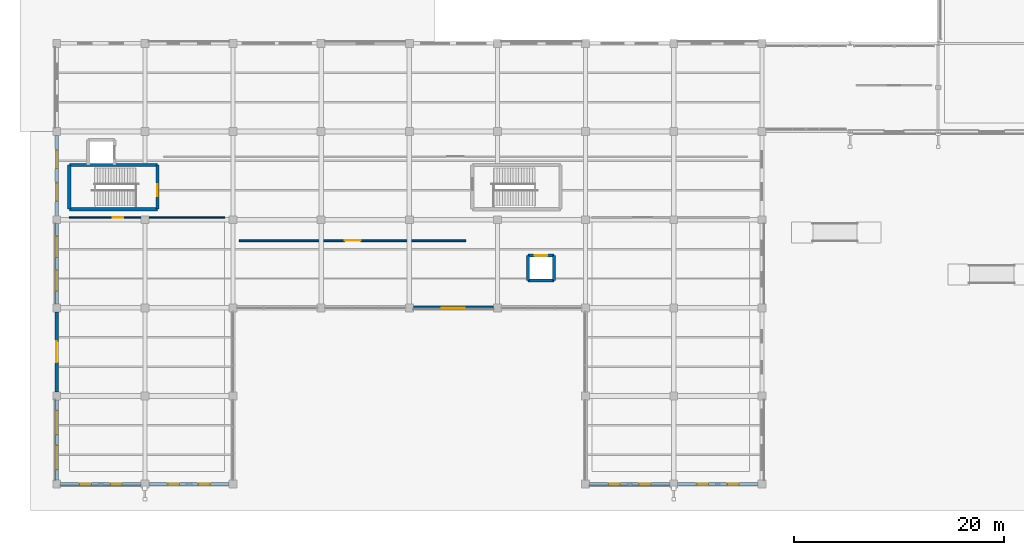
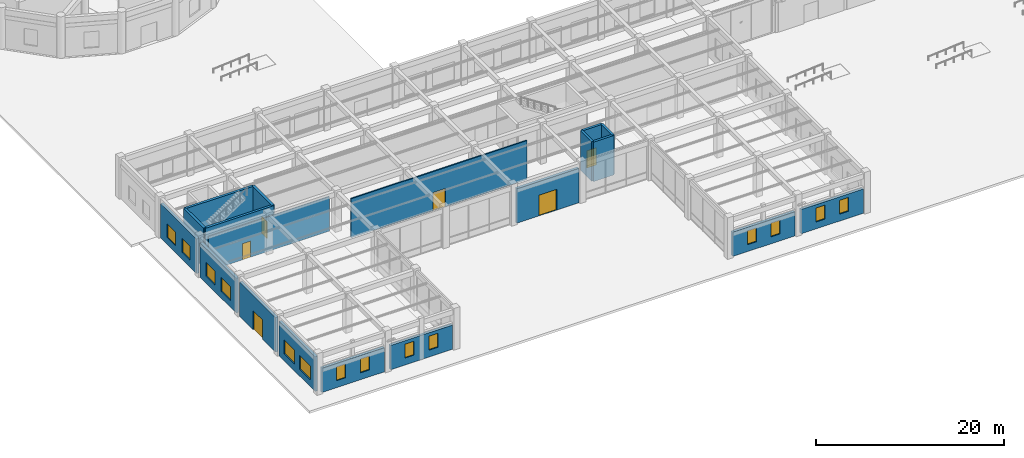
# One storey, part 124 of 157: 19 walls, 14 windows, 6 doors, 20 openings.
"""IFC4 building model written with IfcOpenShell, lengths in metres."""

from ifc_helpers import new_model, si_unit, direction, frame, frame_2d, origin, place, context, subcontext, project, spatial, rectangle, extrude, material, layer, layer_set, type_object, element, fill, save


model = new_model("IFC4")

# Units and contexts
model_context = context("Model", 3, precision=1e-05, world=origin(), true_north=direction((0.0, 1.0)))
body_context = subcontext(model_context, "Body", "Model", "MODEL_VIEW")
ifc_project = project(units=[si_unit("LENGTHUNIT", "METRE"), si_unit("AREAUNIT", "SQUARE_METRE"), si_unit("VOLUMEUNIT", "CUBIC_METRE"), si_unit("PLANEANGLEUNIT", "RADIAN"), si_unit("MASSUNIT", "GRAM", prefix="KILO"), si_unit("THERMODYNAMICTEMPERATUREUNIT", "KELVIN"), si_unit("POWERUNIT", "WATT")], contexts=[model_context])

# Site, building, storey
site_placement = place(None, origin())
site = spatial("IfcSite", under=ifc_project, at=site_placement, CompositionType="ELEMENT")
building_placement = place(site_placement, origin())
building = spatial("IfcBuilding", under=site, at=building_placement, Name="Darbajah Civic Hall", CompositionType="ELEMENT")
storey_placement = place(building_placement, origin())
storey = spatial("IfcBuildingStorey", under=building, at=storey_placement, Name="L00", CompositionType="ELEMENT", Elevation=0.0)

# Wall
ifc_material_1 = material(Name="Concrete C45/55", Category="concrete")
ifc_layer_1 = layer(ifc_material_1, 0.300048828125, Name="Concrete C45/55")
ifc_layer_set_1 = layer_set([ifc_layer_1], Name="Concrete C45/55")
wall_type_1 = type_object("IfcWallType", Name="Core Shear Wall 300mm", PredefinedType="SHEAR", material=ifc_layer_set_1)
wall_1_placement = place(storey_placement, frame((1.199951171875, 26.199951171875, 0.0), z_axis=(0.0, 0.0, 1.0), x_axis=(1.0, 0.0, 0.0)))
element("IfcWall", 1, at=wall_1_placement, inside=storey, type_object=wall_type_1, Name="L00 core C10 shear wall S", PredefinedType="SHEAR", context=body_context, shape_type="SweptSolid", body=[
    extrude(rectangle(XDim=8.400146484375, YDim=0.300048828125, at=frame_2d((4.2001953125, 0.0))), origin(), (0.0, 0.0, 1.0), 5.1201171875),
])

# Wall, opening, door
wall_2_placement = place(storey_placement, frame((9.60009765625, 26.199951171875, 0.0), z_axis=(0.0, 0.0, 1.0), x_axis=(0.0, 1.0, 0.0)))
wall_2 = element("IfcWall", 2, at=wall_2_placement, inside=storey, type_object=wall_type_1, Name="L00 core C10 shear wall E", PredefinedType="SHEAR", context=body_context, shape_type="SweptSolid", body=[
    extrude(rectangle(XDim=4.199951171875, YDim=0.300048828125, at=frame_2d((2.10009765625, 0.0))), origin(), (0.0, 0.0, 1.0), 5.1201171875),
])
opening_1_placement = place(wall_2_placement, frame((1.25, 0.0, 0.0)))
opening_1 = element("IfcOpeningElement", 3, at=opening_1_placement, cuts=wall_2, Name="Opening SD-0109", PredefinedType="OPENING", context=body_context, shape_type="SweptSolid", body=[
    extrude(rectangle(XDim=1.14990234375, YDim=2.199951171875, at=frame_2d((0.574951171875, 1.10009765625))), frame((0.0, 0.159912109375, 0.0), z_axis=(0.0, -1.0, 0.0), x_axis=(1.0, 0.0, 0.0)), (0.0, 0.0, 1.0), 0.320068359375),
])
ifc_material_2 = material(Name="Steel Rated Core Door", Category="steel")
door_type_1 = type_object("IfcDoorType", Name="Interior Door 1150x2200", OperationType="NOTDEFINED", PredefinedType="DOOR", material=ifc_material_2)
door_1_placement = place(opening_1_placement, frame((1.14990234375, 0.0, 0.0), z_axis=(0.0, 0.0, 1.0), x_axis=(-1.0, 0.0, 0.0)))
door_1 = element("IfcDoor", 4, at=door_1_placement, inside=storey, type_object=door_type_1, Name="L00 stair ST10 fire door SD-0109", OperationType="SINGLE_SWING_RIGHT", OverallHeight=2.199951171875, OverallWidth=1.14990234375, PredefinedType="DOOR", context=body_context, shape_type="SweptSolid", body=[
    extrude(rectangle(XDim=1.14990234375, YDim=2.199951171875, at=frame_2d((0.574951171875, 1.10009765625))), frame((0.0, 0.02490234375, 0.0), z_axis=(0.0, -1.0, 0.0), x_axis=(1.0, 0.0, 0.0)), (0.0, 0.0, 1.0), 0.050048828125),
])
fill(opening_1, door_1)

# Walls
wall_3_placement = place(storey_placement, frame((9.60009765625, 30.39990234375, 0.0), z_axis=(0.0, 0.0, 1.0), x_axis=(-1.0, 0.0, 0.0)))
element("IfcWall", 5, at=wall_3_placement, inside=storey, type_object=wall_type_1, Name="L00 core C10 shear wall N", PredefinedType="SHEAR", context=body_context, shape_type="SweptSolid", body=[
    extrude(rectangle(XDim=8.400146484375, YDim=0.300048828125, at=frame_2d((4.2001953125, 0.0))), origin(), (0.0, 0.0, 1.0), 5.1201171875),
])
wall_4_placement = place(storey_placement, frame((1.199951171875, 30.39990234375, 0.0), z_axis=(0.0, 0.0, 1.0), x_axis=(0.0, -1.0, 0.0)))
element("IfcWall", 6, at=wall_4_placement, inside=storey, type_object=wall_type_1, Name="L00 core C10 shear wall W", PredefinedType="SHEAR", context=body_context, shape_type="SweptSolid", body=[
    extrude(rectangle(XDim=4.199951171875, YDim=0.300048828125, at=frame_2d((2.10009765625, 0.0))), origin(), (0.0, 0.0, 1.0), 5.1201171875),
])

# Wall, opening, door
wall_5_placement = place(storey_placement, frame((47.39990234375, 21.800048828125, 0.0), z_axis=(0.0, 0.0, 1.0), x_axis=(-1.0, 0.0, 0.0)))
wall_5 = element("IfcWall", 7, at=wall_5_placement, inside=storey, type_object=wall_type_1, Name="L00 lift PL6 shaft wall N", PredefinedType="SHEAR", context=body_context, shape_type="SweptSolid", body=[
    extrude(rectangle(XDim=2.5, YDim=0.300048828125, at=frame_2d((1.25, 0.0))), origin(), (0.0, 0.0, 1.0), 5.1201171875),
])
opening_2_placement = place(wall_5_placement, frame((0.64990234375, 0.0, 0.0)))
opening_2 = element("IfcOpeningElement", 8, at=opening_2_placement, cuts=wall_5, Name="Opening LD-0127", PredefinedType="OPENING", context=body_context, shape_type="SweptSolid", body=[
    extrude(rectangle(XDim=1.199951171875, YDim=2.25, at=frame_2d((0.60009765625, 1.125))), frame((0.0, 0.159912109375, 0.0), z_axis=(0.0, -1.0, 0.0), x_axis=(1.0, 0.0, 0.0)), (0.0, 0.0, 1.0), 0.320068359375),
])
ifc_material_3 = material(Name="Stainless Lift Landing Door")
door_type_2 = type_object("IfcDoorType", Name="Lift Landing Door 1200x2250", OperationType="SLIDING_TO_LEFT", PredefinedType="DOOR", material=ifc_material_3)
door_2_placement = place(opening_2_placement, origin())
door_2 = element("IfcDoor", 9, at=door_2_placement, inside=storey, type_object=door_type_2, Name="L00 lift PL6 landing door LD-0127", OperationType="SLIDING_TO_LEFT", OverallHeight=2.25, OverallWidth=1.199951171875, PredefinedType="DOOR", context=body_context, shape_type="SweptSolid", body=[
    extrude(rectangle(XDim=1.199951171875, YDim=2.25, at=frame_2d((0.60009765625, 1.125))), frame((0.0, 0.02490234375, 0.0), z_axis=(0.0, -1.0, 0.0), x_axis=(1.0, 0.0, 0.0)), (0.0, 0.0, 1.0), 0.050048828125),
])
fill(opening_2, door_2)

# Walls
wall_6_placement = place(storey_placement, frame((44.89990234375, 19.39990234375, 0.0), z_axis=(0.0, 0.0, 1.0), x_axis=(1.0, 0.0, 0.0)))
element("IfcWall", 10, at=wall_6_placement, inside=storey, type_object=wall_type_1, Name="L00 lift PL6 shaft wall S", PredefinedType="SHEAR", context=body_context, shape_type="SweptSolid", body=[
    extrude(rectangle(XDim=2.5, YDim=0.300048828125, at=frame_2d((1.25, 0.0))), origin(), (0.0, 0.0, 1.0), 5.1201171875),
])
for number, where, z_axis, x_axis, name in (
    (11, (44.89990234375, 21.800048828125, 0.0), (0.0, 0.0, 1.0), (0.0, -1.0, 0.0), "L00 lift PL6 shaft wall W"),
    (12, (47.39990234375, 19.39990234375, 0.0), (0.0, 0.0, 1.0), (0.0, 1.0, 0.0), "L00 lift PL6 shaft wall E"),
):
    element("IfcWall", number, at=place(storey_placement, frame(where, z_axis=z_axis, x_axis=x_axis)), inside=storey, type_object=wall_type_1, Name=name, PredefinedType="SHEAR", context=body_context, shape_type="SweptSolid", body=[
        extrude(rectangle(XDim=2.400146484375, YDim=0.300048828125, at=frame_2d((1.2001953125, 0.0))), origin(), (0.0, 0.0, 1.0), 5.1201171875),
    ])

# Wall, openings, windows
ifc_material_4 = material(Name="Red Dholpur Sandstone Cladding", Category="masonry")
ifc_layer_2 = layer(ifc_material_4, 0.31005859375, Name="Red Dholpur Sandstone Cladding")
ifc_layer_set_2 = layer_set([ifc_layer_2], Name="Red Dholpur Sandstone Cladding")
wall_type_2 = type_object("IfcWallType", Name="Exterior Wall 310mm", PredefinedType="SOLIDWALL", material=ifc_layer_set_2)
wall_7_placement = place(storey_placement, frame((0.376953125, 0.0, 0.0), z_axis=(0.0, 0.0, 1.0), x_axis=(1.0, 0.0, 0.0)))
wall_7 = element("IfcWall", 13, at=wall_7_placement, inside=storey, type_object=wall_type_2, Name="L00 exterior wall EW-310", PredefinedType="SOLIDWALL", context=body_context, shape_type="SweptSolid", body=[
    extrude(rectangle(XDim=7.64599609375, YDim=0.31005859375, at=frame_2d((3.822998046875, 0.0))), origin(), (0.0, 0.0, 1.0), 3.14990234375),
])
opening_3_placement = place(wall_7_placement, frame((1.815185546875, 0.0, 0.89990234375)))
opening_3 = element("IfcOpeningElement", 14, at=opening_3_placement, cuts=wall_7, Name="Opening WN-17", PredefinedType="OPENING", context=body_context, shape_type="SweptSolid", body=[
    extrude(rectangle(XDim=1.10009765625, YDim=1.800048828125, at=frame_2d((0.550048828125, 0.89990234375))), frame((0.0, 0.1650390625, 0.0), z_axis=(0.0, -1.0, 0.0), x_axis=(1.0, 0.0, 0.0)), (0.0, 0.0, 1.0), 0.330078125),
])
opening_4_placement = place(wall_7_placement, frame((4.730712890625, 0.0, 0.89990234375)))
opening_4 = element("IfcOpeningElement", 15, at=opening_4_placement, cuts=wall_7, Name="Opening WN-17", PredefinedType="OPENING", context=body_context, shape_type="SweptSolid", body=[
    extrude(rectangle(XDim=1.10009765625, YDim=1.800048828125, at=frame_2d((0.550048828125, 0.89990234375))), frame((0.0, 0.1650390625, 0.0), z_axis=(0.0, -1.0, 0.0), x_axis=(1.0, 0.0, 0.0)), (0.0, 0.0, 1.0), 0.330078125),
])
ifc_material_5 = material(Name="Low-E Solar Control Double Glazing", Category="glass")
window_type_1 = type_object("IfcWindowType", Name="Facade Window 1100x1800", PartitioningType="SINGLE_PANEL", PredefinedType="WINDOW", material=ifc_material_5)
window_1_placement = place(opening_3_placement, origin())
window_1 = element("IfcWindow", 16, at=window_1_placement, inside=storey, type_object=window_type_1, Name="L00 facade window WN-17", OverallHeight=1.800048828125, OverallWidth=1.10009765625, PartitioningType="SINGLE_PANEL", PredefinedType="WINDOW", context=body_context, shape_type="SweptSolid", body=[
    extrude(rectangle(XDim=1.10009765625, YDim=1.800048828125, at=frame_2d((0.550048828125, 0.89990234375))), frame((0.0, 0.030029296875, 0.0), z_axis=(0.0, -1.0, 0.0), x_axis=(1.0, 0.0, 0.0)), (0.0, 0.0, 1.0), 0.06005859375),
])
fill(opening_3, window_1)
window_2_placement = place(opening_4_placement, origin())
window_2 = element("IfcWindow", 17, at=window_2_placement, inside=storey, type_object=window_type_1, Name="L00 facade window WN-17", OverallHeight=1.800048828125, OverallWidth=1.10009765625, PartitioningType="SINGLE_PANEL", PredefinedType="WINDOW", context=body_context, shape_type="SweptSolid", body=[
    extrude(rectangle(XDim=1.10009765625, YDim=1.800048828125, at=frame_2d((0.550048828125, 0.89990234375))), frame((0.0, 0.030029296875, 0.0), z_axis=(0.0, -1.0, 0.0), x_axis=(1.0, 0.0, 0.0)), (0.0, 0.0, 1.0), 0.06005859375),
])
fill(opening_4, window_2)

wall_8_placement = place(storey_placement, frame((8.777099609375, 0.0, 0.0), z_axis=(0.0, 0.0, 1.0), x_axis=(1.0, 0.0, 0.0)))
wall_8 = element("IfcWall", 18, at=wall_8_placement, inside=storey, type_object=wall_type_2, Name="L00 exterior wall EW-310", PredefinedType="SOLIDWALL", context=body_context, shape_type="SweptSolid", body=[
    extrude(rectangle(XDim=7.64599609375, YDim=0.31005859375, at=frame_2d((3.822998046875, 0.0))), origin(), (0.0, 0.0, 1.0), 3.14990234375),
])
opening_5_placement = place(wall_8_placement, frame((1.815185546875, 0.0, 0.89990234375)))
opening_5 = element("IfcOpeningElement", 19, at=opening_5_placement, cuts=wall_8, Name="Opening WN-17", PredefinedType="OPENING", context=body_context, shape_type="SweptSolid", body=[
    extrude(rectangle(XDim=1.10009765625, YDim=1.800048828125, at=frame_2d((0.550048828125, 0.89990234375))), frame((0.0, 0.1650390625, 0.0), z_axis=(0.0, -1.0, 0.0), x_axis=(1.0, 0.0, 0.0)), (0.0, 0.0, 1.0), 0.330078125),
])
opening_6_placement = place(wall_8_placement, frame((4.730712890625, 0.0, 0.89990234375)))
opening_6 = element("IfcOpeningElement", 20, at=opening_6_placement, cuts=wall_8, Name="Opening WN-17", PredefinedType="OPENING", context=body_context, shape_type="SweptSolid", body=[
    extrude(rectangle(XDim=1.10009765625, YDim=1.800048828125, at=frame_2d((0.550048828125, 0.89990234375))), frame((0.0, 0.1650390625, 0.0), z_axis=(0.0, -1.0, 0.0), x_axis=(1.0, 0.0, 0.0)), (0.0, 0.0, 1.0), 0.330078125),
])
window_3_placement = place(opening_5_placement, origin())
window_3 = element("IfcWindow", 21, at=window_3_placement, inside=storey, type_object=window_type_1, Name="L00 facade window WN-17", OverallHeight=1.800048828125, OverallWidth=1.10009765625, PartitioningType="SINGLE_PANEL", PredefinedType="WINDOW", context=body_context, shape_type="SweptSolid", body=[
    extrude(rectangle(XDim=1.10009765625, YDim=1.800048828125, at=frame_2d((0.550048828125, 0.89990234375))), frame((0.0, 0.030029296875, 0.0), z_axis=(0.0, -1.0, 0.0), x_axis=(1.0, 0.0, 0.0)), (0.0, 0.0, 1.0), 0.06005859375),
])
fill(opening_5, window_3)
window_4_placement = place(opening_6_placement, origin())
window_4 = element("IfcWindow", 22, at=window_4_placement, inside=storey, type_object=window_type_1, Name="L00 facade window WN-17", OverallHeight=1.800048828125, OverallWidth=1.10009765625, PartitioningType="SINGLE_PANEL", PredefinedType="WINDOW", context=body_context, shape_type="SweptSolid", body=[
    extrude(rectangle(XDim=1.10009765625, YDim=1.800048828125, at=frame_2d((0.550048828125, 0.89990234375))), frame((0.0, 0.030029296875, 0.0), z_axis=(0.0, -1.0, 0.0), x_axis=(1.0, 0.0, 0.0)), (0.0, 0.0, 1.0), 0.06005859375),
])
fill(opening_6, window_4)

# Wall, opening, door
wall_9_placement = place(storey_placement, frame((33.97705078125, 16.800048828125, 0.0), z_axis=(0.0, 0.0, 1.0), x_axis=(1.0, 0.0, 0.0)))
wall_9 = element("IfcWall", 23, at=wall_9_placement, inside=storey, type_object=wall_type_2, Name="L00 exterior wall EW-310", PredefinedType="SOLIDWALL", context=body_context, shape_type="SweptSolid", body=[
    extrude(rectangle(XDim=7.64599609375, YDim=0.31005859375, at=frame_2d((3.822998046875, 0.0))), origin(), (0.0, 0.0, 1.0), 4.489990234375),
])
opening_7_placement = place(wall_9_placement, frame((2.722900390625, 0.0, 0.0)))
opening_7 = element("IfcOpeningElement", 24, at=opening_7_placement, cuts=wall_9, Name="Opening E-015", PredefinedType="OPENING", context=body_context, shape_type="SweptSolid", body=[
    extrude(rectangle(XDim=2.199951171875, YDim=2.699951171875, at=frame_2d((1.10009765625, 1.35009765625))), frame((0.0, 0.1650390625, 0.0), z_axis=(0.0, -1.0, 0.0), x_axis=(1.0, 0.0, 0.0)), (0.0, 0.0, 1.0), 0.330078125),
])
ifc_material_6 = material(Name="Anodised Bronze Aluminium and Laminated Glass", Category="aluminium")
door_type_3 = type_object("IfcDoorType", Name="Exterior Door 2200x2700", OperationType="NOTDEFINED", PredefinedType="DOOR", material=ifc_material_6)
door_3_placement = place(opening_7_placement, frame((2.199951171875, 0.0, 0.0), z_axis=(0.0, 0.0, 1.0), x_axis=(-1.0, 0.0, 0.0)))
door_3 = element("IfcDoor", 25, at=door_3_placement, inside=storey, type_object=door_type_3, Name="Cloister Court Entrance E-015", OperationType="DOUBLE_DOOR_SINGLE_SWING", OverallHeight=2.699951171875, OverallWidth=2.199951171875, PredefinedType="DOOR", context=body_context, shape_type="SweptSolid", body=[
    extrude(rectangle(XDim=2.199951171875, YDim=2.699951171875, at=frame_2d((1.10009765625, 1.35009765625))), frame((0.0, 0.02490234375, 0.0), z_axis=(0.0, -1.0, 0.0), x_axis=(1.0, 0.0, 0.0)), (0.0, 0.0, 1.0), 0.050048828125),
])
fill(opening_7, door_3)

# Wall, openings, windows
wall_10_placement = place(storey_placement, frame((50.777099609375, 0.0, 0.0), z_axis=(0.0, 0.0, 1.0), x_axis=(1.0, 0.0, 0.0)))
wall_10 = element("IfcWall", 26, at=wall_10_placement, inside=storey, type_object=wall_type_2, Name="L00 exterior wall EW-310", PredefinedType="SOLIDWALL", context=body_context, shape_type="SweptSolid", body=[
    extrude(rectangle(XDim=7.64599609375, YDim=0.31005859375, at=frame_2d((3.822998046875, 0.0))), origin(), (0.0, 0.0, 1.0), 3.14990234375),
])
opening_8_placement = place(wall_10_placement, frame((1.815185546875, 0.0, 0.89990234375)))
opening_8 = element("IfcOpeningElement", 27, at=opening_8_placement, cuts=wall_10, Name="Opening WN-17", PredefinedType="OPENING", context=body_context, shape_type="SweptSolid", body=[
    extrude(rectangle(XDim=1.10009765625, YDim=1.800048828125, at=frame_2d((0.550048828125, 0.89990234375))), frame((0.0, 0.1650390625, 0.0), z_axis=(0.0, -1.0, 0.0), x_axis=(1.0, 0.0, 0.0)), (0.0, 0.0, 1.0), 0.330078125),
])
opening_9_placement = place(wall_10_placement, frame((4.730712890625, 0.0, 0.89990234375)))
opening_9 = element("IfcOpeningElement", 28, at=opening_9_placement, cuts=wall_10, Name="Opening WN-17", PredefinedType="OPENING", context=body_context, shape_type="SweptSolid", body=[
    extrude(rectangle(XDim=1.10009765625, YDim=1.800048828125, at=frame_2d((0.550048828125, 0.89990234375))), frame((0.0, 0.1650390625, 0.0), z_axis=(0.0, -1.0, 0.0), x_axis=(1.0, 0.0, 0.0)), (0.0, 0.0, 1.0), 0.330078125),
])
window_5_placement = place(opening_8_placement, origin())
window_5 = element("IfcWindow", 29, at=window_5_placement, inside=storey, type_object=window_type_1, Name="L00 facade window WN-17", OverallHeight=1.800048828125, OverallWidth=1.10009765625, PartitioningType="SINGLE_PANEL", PredefinedType="WINDOW", context=body_context, shape_type="SweptSolid", body=[
    extrude(rectangle(XDim=1.10009765625, YDim=1.800048828125, at=frame_2d((0.550048828125, 0.89990234375))), frame((0.0, 0.030029296875, 0.0), z_axis=(0.0, -1.0, 0.0), x_axis=(1.0, 0.0, 0.0)), (0.0, 0.0, 1.0), 0.06005859375),
])
fill(opening_8, window_5)
window_6_placement = place(opening_9_placement, origin())
window_6 = element("IfcWindow", 30, at=window_6_placement, inside=storey, type_object=window_type_1, Name="L00 facade window WN-17", OverallHeight=1.800048828125, OverallWidth=1.10009765625, PartitioningType="SINGLE_PANEL", PredefinedType="WINDOW", context=body_context, shape_type="SweptSolid", body=[
    extrude(rectangle(XDim=1.10009765625, YDim=1.800048828125, at=frame_2d((0.550048828125, 0.89990234375))), frame((0.0, 0.030029296875, 0.0), z_axis=(0.0, -1.0, 0.0), x_axis=(1.0, 0.0, 0.0)), (0.0, 0.0, 1.0), 0.06005859375),
])
fill(opening_9, window_6)

wall_11_placement = place(storey_placement, frame((59.177001953125, 0.0, 0.0), z_axis=(0.0, 0.0, 1.0), x_axis=(1.0, 0.0, 0.0)))
wall_11 = element("IfcWall", 31, at=wall_11_placement, inside=storey, type_object=wall_type_2, Name="L00 exterior wall EW-310", PredefinedType="SOLIDWALL", context=body_context, shape_type="SweptSolid", body=[
    extrude(rectangle(XDim=7.64599609375, YDim=0.31005859375, at=frame_2d((3.822998046875, 0.0))), origin(), (0.0, 0.0, 1.0), 3.14990234375),
])
opening_10_placement = place(wall_11_placement, frame((1.815185546875, 0.0, 0.89990234375)))
opening_10 = element("IfcOpeningElement", 32, at=opening_10_placement, cuts=wall_11, Name="Opening WN-17", PredefinedType="OPENING", context=body_context, shape_type="SweptSolid", body=[
    extrude(rectangle(XDim=1.10009765625, YDim=1.800048828125, at=frame_2d((0.550048828125, 0.89990234375))), frame((0.0, 0.1650390625, 0.0), z_axis=(0.0, -1.0, 0.0), x_axis=(1.0, 0.0, 0.0)), (0.0, 0.0, 1.0), 0.330078125),
])
opening_11_placement = place(wall_11_placement, frame((4.730712890625, 0.0, 0.89990234375)))
opening_11 = element("IfcOpeningElement", 33, at=opening_11_placement, cuts=wall_11, Name="Opening WN-17", PredefinedType="OPENING", context=body_context, shape_type="SweptSolid", body=[
    extrude(rectangle(XDim=1.10009765625, YDim=1.800048828125, at=frame_2d((0.550048828125, 0.89990234375))), frame((0.0, 0.1650390625, 0.0), z_axis=(0.0, -1.0, 0.0), x_axis=(1.0, 0.0, 0.0)), (0.0, 0.0, 1.0), 0.330078125),
])
window_7_placement = place(opening_10_placement, origin())
window_7 = element("IfcWindow", 34, at=window_7_placement, inside=storey, type_object=window_type_1, Name="L00 facade window WN-17", OverallHeight=1.800048828125, OverallWidth=1.10009765625, PartitioningType="SINGLE_PANEL", PredefinedType="WINDOW", context=body_context, shape_type="SweptSolid", body=[
    extrude(rectangle(XDim=1.10009765625, YDim=1.800048828125, at=frame_2d((0.550048828125, 0.89990234375))), frame((0.0, 0.030029296875, 0.0), z_axis=(0.0, -1.0, 0.0), x_axis=(1.0, 0.0, 0.0)), (0.0, 0.0, 1.0), 0.06005859375),
])
fill(opening_10, window_7)
window_8_placement = place(opening_11_placement, origin())
window_8 = element("IfcWindow", 35, at=window_8_placement, inside=storey, type_object=window_type_1, Name="L00 facade window WN-17", OverallHeight=1.800048828125, OverallWidth=1.10009765625, PartitioningType="SINGLE_PANEL", PredefinedType="WINDOW", context=body_context, shape_type="SweptSolid", body=[
    extrude(rectangle(XDim=1.10009765625, YDim=1.800048828125, at=frame_2d((0.550048828125, 0.89990234375))), frame((0.0, 0.030029296875, 0.0), z_axis=(0.0, -1.0, 0.0), x_axis=(1.0, 0.0, 0.0)), (0.0, 0.0, 1.0), 0.06005859375),
])
fill(opening_11, window_8)

wall_12_placement = place(storey_placement, frame((0.0, 33.222900390625, 0.0), z_axis=(0.0, 0.0, 1.0), x_axis=(0.0, -1.0, 0.0)))
wall_12 = element("IfcWall", 36, at=wall_12_placement, inside=storey, type_object=wall_type_2, Name="L00 exterior wall EW-310", PredefinedType="SOLIDWALL", context=body_context, shape_type="SweptSolid", body=[
    extrude(rectangle(XDim=7.64599609375, YDim=0.31005859375, at=frame_2d((3.822998046875, 0.0))), origin(), (0.0, 0.0, 1.0), 4.489990234375),
])
opening_12_placement = place(wall_12_placement, frame((1.382080078125, 0.0, 0.89990234375)))
opening_12 = element("IfcOpeningElement", 37, at=opening_12_placement, cuts=wall_12, Name="Opening WN-20", PredefinedType="OPENING", context=body_context, shape_type="SweptSolid", body=[
    extrude(rectangle(XDim=1.75, YDim=1.800048828125, at=frame_2d((0.875, 0.89990234375))), frame((0.0, 0.1650390625, 0.0), z_axis=(0.0, -1.0, 0.0), x_axis=(1.0, 0.0, 0.0)), (0.0, 0.0, 1.0), 0.330078125),
])
opening_13_placement = place(wall_12_placement, frame((4.513916015625, 0.0, 0.89990234375)))
opening_13 = element("IfcOpeningElement", 38, at=opening_13_placement, cuts=wall_12, Name="Opening WN-20", PredefinedType="OPENING", context=body_context, shape_type="SweptSolid", body=[
    extrude(rectangle(XDim=1.75, YDim=1.800048828125, at=frame_2d((0.875, 0.89990234375))), frame((0.0, 0.1650390625, 0.0), z_axis=(0.0, -1.0, 0.0), x_axis=(1.0, 0.0, 0.0)), (0.0, 0.0, 1.0), 0.330078125),
])
window_type_2 = type_object("IfcWindowType", Name="Facade Window 1750x1800", PartitioningType="DOUBLE_PANEL_VERTICAL", PredefinedType="WINDOW", material=ifc_material_5)
window_9_placement = place(opening_12_placement, origin())
window_9 = element("IfcWindow", 39, at=window_9_placement, inside=storey, type_object=window_type_2, Name="L00 facade window WN-20", OverallHeight=1.800048828125, OverallWidth=1.75, PartitioningType="SINGLE_PANEL", PredefinedType="WINDOW", context=body_context, shape_type="SweptSolid", body=[
    extrude(rectangle(XDim=1.75, YDim=1.800048828125, at=frame_2d((0.875, 0.89990234375))), frame((0.0, 0.030029296875, 0.0), z_axis=(0.0, -1.0, 0.0), x_axis=(1.0, 0.0, 0.0)), (0.0, 0.0, 1.0), 0.06005859375),
])
fill(opening_12, window_9)
window_10_placement = place(opening_13_placement, origin())
window_10 = element("IfcWindow", 40, at=window_10_placement, inside=storey, type_object=window_type_2, Name="L00 facade window WN-20", OverallHeight=1.800048828125, OverallWidth=1.75, PartitioningType="SINGLE_PANEL", PredefinedType="WINDOW", context=body_context, shape_type="SweptSolid", body=[
    extrude(rectangle(XDim=1.75, YDim=1.800048828125, at=frame_2d((0.875, 0.89990234375))), frame((0.0, 0.030029296875, 0.0), z_axis=(0.0, -1.0, 0.0), x_axis=(1.0, 0.0, 0.0)), (0.0, 0.0, 1.0), 0.06005859375),
])
fill(opening_13, window_10)

wall_13_placement = place(storey_placement, frame((0.0, 24.822998046875, 0.0), z_axis=(0.0, 0.0, 1.0), x_axis=(0.0, -1.0, 0.0)))
wall_13 = element("IfcWall", 41, at=wall_13_placement, inside=storey, type_object=wall_type_2, Name="L00 exterior wall EW-310", PredefinedType="SOLIDWALL", context=body_context, shape_type="SweptSolid", body=[
    extrude(rectangle(XDim=7.64599609375, YDim=0.31005859375, at=frame_2d((3.822998046875, 0.0))), origin(), (0.0, 0.0, 1.0), 4.489990234375),
])
opening_14_placement = place(wall_13_placement, frame((1.21533203125, 0.0, 0.89990234375)))
opening_14 = element("IfcOpeningElement", 42, at=opening_14_placement, cuts=wall_13, Name="Opening WN-21", PredefinedType="OPENING", context=body_context, shape_type="SweptSolid", body=[
    extrude(rectangle(XDim=2.0, YDim=1.800048828125, at=frame_2d((1.0, 0.89990234375))), frame((0.0, 0.1650390625, 0.0), z_axis=(0.0, -1.0, 0.0), x_axis=(1.0, 0.0, 0.0)), (0.0, 0.0, 1.0), 0.330078125),
])
opening_15_placement = place(wall_13_placement, frame((4.4306640625, 0.0, 0.89990234375)))
opening_15 = element("IfcOpeningElement", 43, at=opening_15_placement, cuts=wall_13, Name="Opening WN-21", PredefinedType="OPENING", context=body_context, shape_type="SweptSolid", body=[
    extrude(rectangle(XDim=2.0, YDim=1.800048828125, at=frame_2d((1.0, 0.89990234375))), frame((0.0, 0.1650390625, 0.0), z_axis=(0.0, -1.0, 0.0), x_axis=(1.0, 0.0, 0.0)), (0.0, 0.0, 1.0), 0.330078125),
])
window_type_3 = type_object("IfcWindowType", Name="Facade Window 2000x1800", PartitioningType="DOUBLE_PANEL_VERTICAL", PredefinedType="WINDOW", material=ifc_material_5)
window_11_placement = place(opening_14_placement, origin())
window_11 = element("IfcWindow", 44, at=window_11_placement, inside=storey, type_object=window_type_3, Name="L00 facade window WN-21", OverallHeight=1.800048828125, OverallWidth=2.0, PartitioningType="SINGLE_PANEL", PredefinedType="WINDOW", context=body_context, shape_type="SweptSolid", body=[
    extrude(rectangle(XDim=2.0, YDim=1.800048828125, at=frame_2d((1.0, 0.89990234375))), frame((0.0, 0.030029296875, 0.0), z_axis=(0.0, -1.0, 0.0), x_axis=(1.0, 0.0, 0.0)), (0.0, 0.0, 1.0), 0.06005859375),
])
fill(opening_14, window_11)
window_12_placement = place(opening_15_placement, origin())
window_12 = element("IfcWindow", 45, at=window_12_placement, inside=storey, type_object=window_type_3, Name="L00 facade window WN-21", OverallHeight=1.800048828125, OverallWidth=2.0, PartitioningType="SINGLE_PANEL", PredefinedType="WINDOW", context=body_context, shape_type="SweptSolid", body=[
    extrude(rectangle(XDim=2.0, YDim=1.800048828125, at=frame_2d((1.0, 0.89990234375))), frame((0.0, 0.030029296875, 0.0), z_axis=(0.0, -1.0, 0.0), x_axis=(1.0, 0.0, 0.0)), (0.0, 0.0, 1.0), 0.06005859375),
])
fill(opening_15, window_12)

# Wall, opening, door
wall_14_placement = place(storey_placement, frame((0.0, 16.423095703125, 0.0), z_axis=(0.0, 0.0, 1.0), x_axis=(0.0, -1.0, 0.0)))
wall_14 = element("IfcWall", 46, at=wall_14_placement, inside=storey, type_object=wall_type_2, Name="L00 exterior wall EW-310", PredefinedType="SOLIDWALL", context=body_context, shape_type="SweptSolid", body=[
    extrude(rectangle(XDim=7.64599609375, YDim=0.31005859375, at=frame_2d((3.822998046875, 0.0))), origin(), (0.0, 0.0, 1.0), 4.489990234375),
])
opening_16_placement = place(wall_14_placement, frame((2.822998046875, 0.0, 0.0)))
opening_16 = element("IfcOpeningElement", 47, at=opening_16_placement, cuts=wall_14, Name="Opening E-017", PredefinedType="OPENING", context=body_context, shape_type="SweptSolid", body=[
    extrude(rectangle(XDim=2.0, YDim=2.5, at=frame_2d((1.0, 1.25))), frame((0.0, 0.1650390625, 0.0), z_axis=(0.0, -1.0, 0.0), x_axis=(1.0, 0.0, 0.0)), (0.0, 0.0, 1.0), 0.330078125),
])
door_type_4 = type_object("IfcDoorType", Name="Exterior Door 2000x2500", OperationType="NOTDEFINED", PredefinedType="DOOR", material=ifc_material_6)
door_4_placement = place(opening_16_placement, frame((2.0, 0.0, 0.0), z_axis=(0.0, 0.0, 1.0), x_axis=(-1.0, 0.0, 0.0)))
door_4 = element("IfcDoor", 48, at=door_4_placement, inside=storey, type_object=door_type_4, Name="West Cloister Final Exit E-017", OperationType="DOUBLE_DOOR_SINGLE_SWING", OverallHeight=2.5, OverallWidth=2.0, PredefinedType="DOOR", context=body_context, shape_type="SweptSolid", body=[
    extrude(rectangle(XDim=2.0, YDim=2.5, at=frame_2d((1.0, 1.25))), frame((0.0, 0.02490234375, 0.0), z_axis=(0.0, -1.0, 0.0), x_axis=(1.0, 0.0, 0.0)), (0.0, 0.0, 1.0), 0.050048828125),
])
fill(opening_16, door_4)

# Wall, openings, windows
wall_15_placement = place(storey_placement, frame((0.0, 8.02294921875, 0.0), z_axis=(0.0, 0.0, 1.0), x_axis=(0.0, -1.0, 0.0)))
wall_15 = element("IfcWall", 49, at=wall_15_placement, inside=storey, type_object=wall_type_2, Name="L00 exterior wall EW-310", PredefinedType="SOLIDWALL", context=body_context, shape_type="SweptSolid", body=[
    extrude(rectangle(XDim=7.64599609375, YDim=0.31005859375, at=frame_2d((3.822998046875, 0.0))), origin(), (0.0, 0.0, 1.0), 4.489990234375),
])
opening_17_placement = place(wall_15_placement, frame((1.015380859375, 0.0, 0.89990234375)))
opening_17 = element("IfcOpeningElement", 50, at=opening_17_placement, cuts=wall_15, Name="Opening WN-22", PredefinedType="OPENING", context=body_context, shape_type="SweptSolid", body=[
    extrude(rectangle(XDim=2.300048828125, YDim=1.800048828125, at=frame_2d((1.14990234375, 0.89990234375))), frame((0.0, 0.1650390625, 0.0), z_axis=(0.0, -1.0, 0.0), x_axis=(1.0, 0.0, 0.0)), (0.0, 0.0, 1.0), 0.330078125),
])
opening_18_placement = place(wall_15_placement, frame((4.330810546875, 0.0, 0.89990234375)))
opening_18 = element("IfcOpeningElement", 51, at=opening_18_placement, cuts=wall_15, Name="Opening WN-22", PredefinedType="OPENING", context=body_context, shape_type="SweptSolid", body=[
    extrude(rectangle(XDim=2.300048828125, YDim=1.800048828125, at=frame_2d((1.14990234375, 0.89990234375))), frame((0.0, 0.1650390625, 0.0), z_axis=(0.0, -1.0, 0.0), x_axis=(1.0, 0.0, 0.0)), (0.0, 0.0, 1.0), 0.330078125),
])
window_type_4 = type_object("IfcWindowType", Name="Facade Window 2300x1800", PartitioningType="DOUBLE_PANEL_VERTICAL", PredefinedType="WINDOW", material=ifc_material_5)
window_13_placement = place(opening_17_placement, origin())
window_13 = element("IfcWindow", 52, at=window_13_placement, inside=storey, type_object=window_type_4, Name="L00 facade window WN-22", OverallHeight=1.800048828125, OverallWidth=2.300048828125, PartitioningType="SINGLE_PANEL", PredefinedType="WINDOW", context=body_context, shape_type="SweptSolid", body=[
    extrude(rectangle(XDim=2.300048828125, YDim=1.800048828125, at=frame_2d((1.14990234375, 0.89990234375))), frame((0.0, 0.030029296875, 0.0), z_axis=(0.0, -1.0, 0.0), x_axis=(1.0, 0.0, 0.0)), (0.0, 0.0, 1.0), 0.06005859375),
])
fill(opening_17, window_13)
window_14_placement = place(opening_18_placement, origin())
window_14 = element("IfcWindow", 53, at=window_14_placement, inside=storey, type_object=window_type_4, Name="L00 facade window WN-22", OverallHeight=1.800048828125, OverallWidth=2.300048828125, PartitioningType="SINGLE_PANEL", PredefinedType="WINDOW", context=body_context, shape_type="SweptSolid", body=[
    extrude(rectangle(XDim=2.300048828125, YDim=1.800048828125, at=frame_2d((1.14990234375, 0.89990234375))), frame((0.0, 0.030029296875, 0.0), z_axis=(0.0, -1.0, 0.0), x_axis=(1.0, 0.0, 0.0)), (0.0, 0.0, 1.0), 0.06005859375),
])
fill(opening_18, window_14)

# Wall, opening, door
ifc_material_7 = material(Name="Acoustic Gypsum Partition")
ifc_layer_3 = layer(ifc_material_7, 0.114990234375, Name="Acoustic Gypsum Partition")
ifc_layer_set_3 = layer_set([ifc_layer_3], Name="Acoustic Gypsum Partition")
wall_type_3 = type_object("IfcWallType", Name="Interior Partition 115mm", PredefinedType="PARTITIONING", material=ifc_layer_set_3)
wall_16_placement = place(storey_placement, frame((1.199951171875, 25.39990234375, 0.0), z_axis=(0.0, 0.0, 1.0), x_axis=(1.0, 0.0, 0.0)))
wall_16 = element("IfcWall", 54, at=wall_16_placement, inside=storey, type_object=wall_type_3, Name="L00 interior partition L00-V5-01", PredefinedType="PARTITIONING", context=body_context, shape_type="SweptSolid", body=[
    extrude(rectangle(XDim=14.800048828125, YDim=0.114990234375, at=frame_2d((7.39990234375, 0.0))), origin(), (0.0, 0.0, 1.0), 4.489990234375),
])
opening_19_placement = place(wall_16_placement, frame((4.139892578125, 0.0, 0.0)))
opening_19 = element("IfcOpeningElement", 55, at=opening_19_placement, cuts=wall_16, Name="Opening D-0169", PredefinedType="OPENING", context=body_context, shape_type="SweptSolid", body=[
    extrude(rectangle(XDim=1.0, YDim=2.10009765625, at=frame_2d((0.5, 1.050048828125))), frame((0.0, 0.0673828125, 0.0), z_axis=(0.0, -1.0, 0.0), x_axis=(1.0, 0.0, 0.0)), (0.0, 0.0, 1.0), 0.135009765625),
])
ifc_material_8 = material(Name="Oak Suite Door")
door_type_5 = type_object("IfcDoorType", Name="Interior Door 1000x2100", OperationType="NOTDEFINED", PredefinedType="DOOR", material=ifc_material_8)
door_5_placement = place(opening_19_placement, origin())
door_5 = element("IfcDoor", 56, at=door_5_placement, inside=storey, type_object=door_type_5, Name="L00 L00-V5-01 door D-0169", OperationType="SINGLE_SWING_RIGHT", OverallHeight=2.10009765625, OverallWidth=1.0, PredefinedType="DOOR", context=body_context, shape_type="SweptSolid", body=[
    extrude(rectangle(XDim=1.0, YDim=2.10009765625, at=frame_2d((0.5, 1.050048828125))), frame((0.0, 0.02490234375, 0.0), z_axis=(0.0, -1.0, 0.0), x_axis=(1.0, 0.0, 0.0)), (0.0, 0.0, 1.0), 0.050048828125),
])
fill(opening_19, door_5)

ifc_material_9 = material(Name="Gypsum Plasterboard on Steel Stud", Category="steel")
ifc_layer_4 = layer(ifc_material_9, 0.159912109375, Name="Gypsum Plasterboard on Steel Stud")
ifc_layer_set_4 = layer_set([ifc_layer_4], Name="Gypsum Plasterboard on Steel Stud")
wall_type_4 = type_object("IfcWallType", Name="Interior Partition 160mm", PredefinedType="PARTITIONING", material=ifc_layer_set_4)
wall_17_placement = place(storey_placement, frame((17.39990234375, 23.199951171875, 0.0), z_axis=(0.0, 0.0, 1.0), x_axis=(1.0, 0.0, 0.0)))
wall_17 = element("IfcWall", 57, at=wall_17_placement, inside=storey, type_object=wall_type_4, Name="L00 interior partition L00-V5-02", PredefinedType="PARTITIONING", context=body_context, shape_type="SweptSolid", body=[
    extrude(rectangle(XDim=21.60009765625, YDim=0.159912109375, at=frame_2d((10.800048828125, 0.0))), origin(), (0.0, 0.0, 1.0), 5.06005859375),
])
opening_20_placement = place(wall_17_placement, frame((10.050048828125, 0.0, 0.0)))
opening_20 = element("IfcOpeningElement", 58, at=opening_20_placement, cuts=wall_17, Name="Opening D-0170", PredefinedType="OPENING", context=body_context, shape_type="SweptSolid", body=[
    extrude(rectangle(XDim=1.5, YDim=2.35009765625, at=frame_2d((0.75, 1.175048828125))), frame((0.0, 0.08984375, 0.0), z_axis=(0.0, -1.0, 0.0), x_axis=(1.0, 0.0, 0.0)), (0.0, 0.0, 1.0), 0.179931640625),
])
ifc_material_10 = material(Name="Committee Chamber Double Door")
door_type_6 = type_object("IfcDoorType", Name="Interior Door 1500x2350", OperationType="NOTDEFINED", PredefinedType="DOOR", material=ifc_material_10)
door_6_placement = place(opening_20_placement, origin())
door_6 = element("IfcDoor", 59, at=door_6_placement, inside=storey, type_object=door_type_6, Name="L00 L00-V5-02 door D-0170", OperationType="DOUBLE_DOOR_SINGLE_SWING", OverallHeight=2.35009765625, OverallWidth=1.5, PredefinedType="DOOR", context=body_context, shape_type="SweptSolid", body=[
    extrude(rectangle(XDim=1.5, YDim=2.35009765625, at=frame_2d((0.75, 1.175048828125))), frame((0.0, 0.02490234375, 0.0), z_axis=(0.0, -1.0, 0.0), x_axis=(1.0, 0.0, 0.0)), (0.0, 0.0, 1.0), 0.050048828125),
])
fill(opening_20, door_6)

save(model, "model.ifc")
